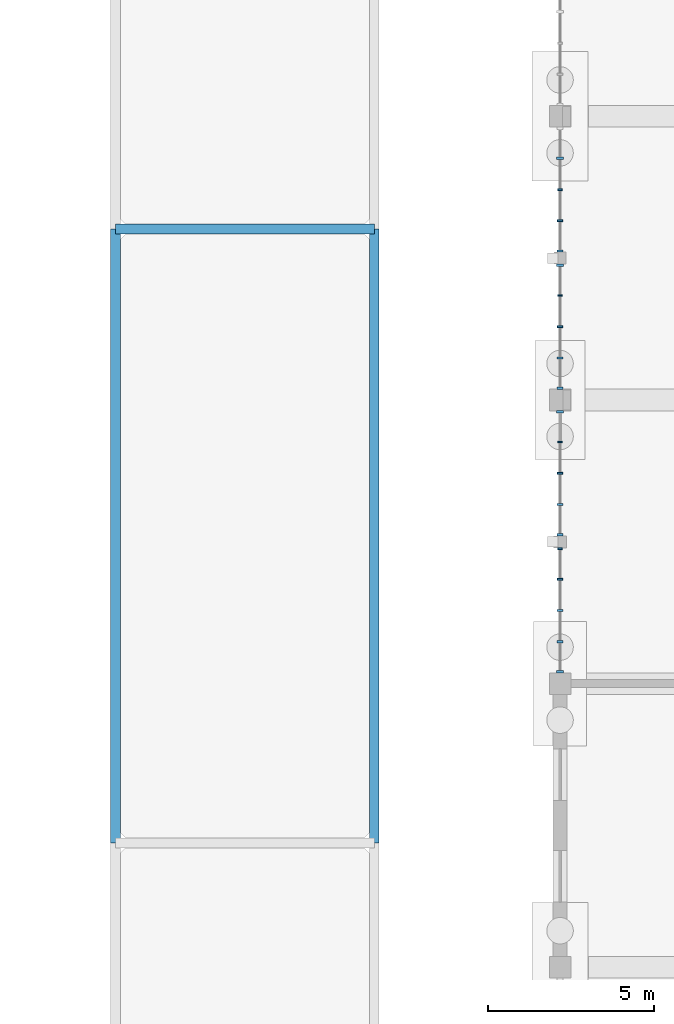
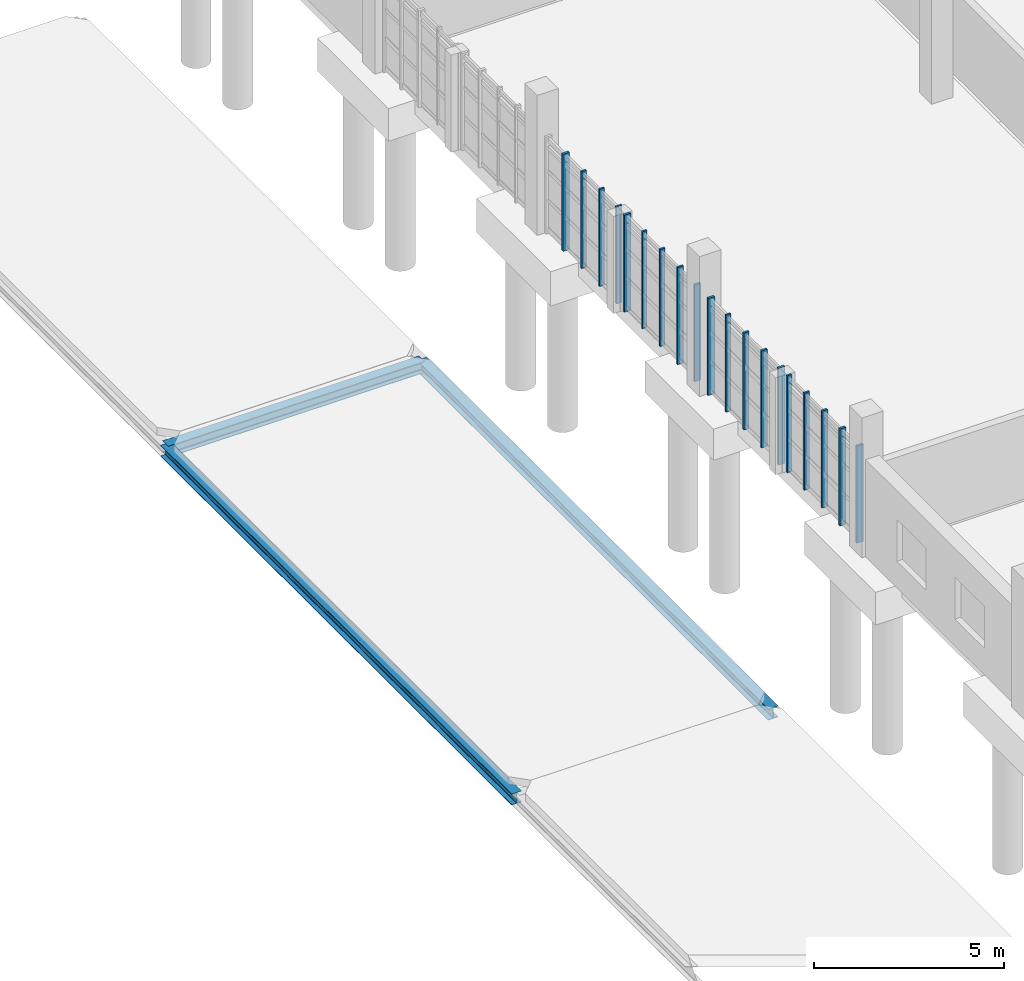
# One storey, part 47 of 125: 19 members, 3 beams, 4 elements without a shape of their own.
"""IFC4 building model written with IfcOpenShell, lengths in metres."""

import ifcopenshell
import ifcopenshell.guid

model = None  # the IFC model being written
_history = None  # IfcOwnerHistory: only IFC2X3 demands one
_inside = {}  # id of a spatial element -> (the spatial element, [elements in it])
_under = {}  # id of a project, library or spatial element -> (it, [spatial elements below it])
_declared = {}  # id of a project -> (the project, [libraries it declares])
_typed = {}  # id of a type object -> (the type object, [elements of that type])
_made_of = {}  # id of a material, layer set ... -> (it, [elements and type objects made of it])


def new_model(schema):
    """Start an empty IFC model of exactly this schema.

    Asked for "IFC4X3", IfcOpenShell would pick the latest addendum, in which some entities
    have other attributes; the version numbers below select the first issue.
    IFC2X3 requires an IfcOwnerHistory on every rooted entity: one is made here for all.
    """
    global model, _history
    if schema == "IFC4X3":
        model = ifcopenshell.file(schema_version=(4, 3, 0, 0))
    else:
        model = ifcopenshell.file(schema=schema)
    _inside.clear()
    _under.clear()
    _declared.clear()
    _typed.clear()
    _made_of.clear()
    _history = None
    if model.schema == "IFC2X3":
        org = make("IfcOrganization", Name="unknown")
        user = make(
            "IfcPersonAndOrganization",
            ThePerson=make("IfcPerson", FamilyName="unknown"),
            TheOrganization=org,
        )
        app = make(
            "IfcApplication",
            ApplicationDeveloper=org,
            Version="unknown",
            ApplicationFullName="unknown",
            ApplicationIdentifier="unknown",
        )
        _history = make(
            "IfcOwnerHistory",
            OwningUser=user,
            OwningApplication=app,
            ChangeAction="ADDED",
            CreationDate=0,
        )
    return model


def make(cls, **values):
    """One entity of the class cls with the attributes given. An attribute that is None is left unset."""
    return model.create_entity(
        cls, **{name: value for name, value in values.items() if value is not None}
    )


def rooted(cls, **values):
    """An entity with a GlobalId (a new one), such as an element, a storey or a relation."""
    return make(cls, GlobalId=ifcopenshell.guid.new(), OwnerHistory=_history, **values)


def si_unit(unit_type, name, prefix=None):
    """IfcSIUnit, for example si_unit("LENGTHUNIT", "METRE", prefix="MILLI")."""
    return make("IfcSIUnit", UnitType=unit_type, Prefix=prefix, Name=name)


def assignment(units):
    """IfcUnitAssignment: the units of a project."""
    return None if units is None else make("IfcUnitAssignment", Units=units)


def point(xyz):
    """IfcCartesianPoint."""
    return None if xyz is None else make("IfcCartesianPoint", Coordinates=xyz)


def direction(xyz):
    """IfcDirection."""
    return None if xyz is None else make("IfcDirection", DirectionRatios=xyz)


def frame(location, z_axis=None, x_axis=None):
    """IfcAxis2Placement3D, a coordinate frame: its origin and axes. An axis left out is left unset."""
    return make(
        "IfcAxis2Placement3D",
        Location=point(location),
        Axis=direction(z_axis),
        RefDirection=direction(x_axis),
    )


def frame_2d(location, x_axis=None):
    """IfcAxis2Placement2D, a coordinate frame in the plane: its origin and x axis."""
    return make(
        "IfcAxis2Placement2D", Location=point(location), RefDirection=direction(x_axis)
    )


def origin():
    """The frame at (0, 0, 0) with its axes left unset."""
    return frame((0.0, 0.0, 0.0))


def origin_2d():
    """The frame at (0, 0) in the plane with its x axis left unset."""
    return frame_2d((0.0, 0.0))


def place(relative_to, where):
    """IfcLocalPlacement: puts the frame where relative to a parent placement (None: the world)."""
    return make(
        "IfcLocalPlacement", PlacementRelTo=relative_to, RelativePlacement=where
    )


def context(
    kind, dimensions, precision=None, world=None, true_north=None, identifier=None
):
    """IfcGeometricRepresentationContext, for example the 3D "Model" context."""
    return make(
        "IfcGeometricRepresentationContext",
        ContextIdentifier=identifier,
        ContextType=kind,
        CoordinateSpaceDimension=dimensions,
        Precision=precision,
        WorldCoordinateSystem=world,
        TrueNorth=true_north,
    )


def subcontext(parent, identifier, kind, view, scale=None):
    """IfcGeometricRepresentationSubContext, for example "Body" below "Model"."""
    return make(
        "IfcGeometricRepresentationSubContext",
        ContextIdentifier=identifier,
        ContextType=kind,
        ParentContext=parent,
        TargetScale=scale,
        TargetView=view,
    )


def project(units=None, contexts=None):
    """IfcProject with its units and contexts."""
    return rooted(
        "IfcProject",
        Name="project",
        RepresentationContexts=contexts,
        UnitsInContext=assignment(units),
    )


def spatial(cls, under=None, at=None, **own):
    """A site, building, storey or space (cls), placed at a placement, below another one or the project."""
    s = rooted(cls, ObjectPlacement=at, **own)
    if under is not None:
        _under.setdefault(under.id(), (under, []))[1].append(s)
    return s


def profile(cls, at=None, kind="AREA", **sizes):
    """A parametric profile (cls). Its sizes go by their IFC names, for example OverallWidth=200.0."""
    return make(cls, ProfileType=kind, Position=at, **sizes)


def rectangle(**sizes):
    """IfcRectangleProfileDef."""
    return profile("IfcRectangleProfileDef", **sizes)


def i_section(**sizes):
    """IfcIShapeProfileDef."""
    return profile("IfcIShapeProfileDef", **sizes)


def extrude(swept, where, along, depth):
    """IfcExtrudedAreaSolid: the profile swept, set in the frame where, extruded along a direction by depth."""
    return make(
        "IfcExtrudedAreaSolid",
        SweptArea=swept,
        Position=where,
        ExtrudedDirection=direction(along),
        Depth=depth,
    )


def shape(context_of_items, identifier, shape_type, items):
    """IfcShapeRepresentation: the items that make up one representation, for example the "Body"."""
    return make(
        "IfcShapeRepresentation",
        ContextOfItems=context_of_items,
        RepresentationIdentifier=identifier,
        RepresentationType=shape_type,
        Items=items,
    )


def material(Name=None, Category=None):
    """IfcMaterial."""
    return make("IfcMaterial", Name=Name, Category=Category)


def material_profile(
    of_material, cross_section, Name=None, Category=None, Priority=None
):
    """IfcMaterialProfile: a cross section and its material."""
    return make(
        "IfcMaterialProfile",
        Name=Name,
        Material=of_material,
        Profile=cross_section,
        Priority=Priority,
        Category=Category,
    )


def profile_set(profiles, Name=None, composite=None):
    """IfcMaterialProfileSet."""
    return make(
        "IfcMaterialProfileSet",
        Name=Name,
        MaterialProfiles=profiles,
        CompositeProfile=composite,
    )


def made_of(thing, what):
    """Note that an element or type object is made of a material, layer set ...; save() writes the relation."""
    if what is not None:
        _made_of.setdefault(what.id(), (what, []))[1].append(thing)
    return thing


def type_object(cls, material=None, **own):
    """A type object (cls), such as IfcWallType, which elements share."""
    return made_of(rooted(cls, **own), material)


def element(
    cls,
    number,
    at=None,
    inside=None,
    cuts=None,
    type_object=None,
    material=None,
    context=None,
    identifier="Body",
    shape_type=None,
    held_by="IfcProductDefinitionShape",
    body=None,
    shapes=None,
    **own,
):
    """One element of the class cls, such as IfcWall. Its Tag is "e" and its number.

    at: its placement. inside: the storey or other place that contains it. cuts: it is an
    opening in that element (IfcRelVoidsElement). A single representation is given by context,
    identifier, shape_type and body (its items); several are given by shapes. held_by: the class
    of the entity that holds the representations. save() writes the other relations.
    """
    e = rooted(cls, Tag="e%d" % number, ObjectPlacement=at, **own)
    if body is not None:
        shapes = [shape(context, identifier, shape_type, body)]
    if shapes is not None:
        e.Representation = make(held_by, Representations=shapes)
    if inside is not None:
        _inside.setdefault(inside.id(), (inside, []))[1].append(e)
    if cuts is not None:
        rooted(
            "IfcRelVoidsElement", RelatingBuildingElement=cuts, RelatedOpeningElement=e
        )
    if type_object is not None:
        _typed.setdefault(type_object.id(), (type_object, []))[1].append(e)
    return made_of(e, material)


def aggregate(whole, parts):
    """IfcRelAggregates: a whole, such as a stair, and the parts it consists of."""
    return rooted("IfcRelAggregates", RelatingObject=whole, RelatedObjects=parts)


def save(model, path):
    """Write the relations noted so far, then the file.

    IfcRelAggregates (storeys below a building ...), IfcRelContainedInSpatialStructure (elements
    in a storey), IfcRelDefinesByType, IfcRelAssociatesMaterial and IfcRelDeclares: one each for
    every whole, place, type object, material and project.
    """
    for whole, parts in _under.values():
        aggregate(whole, parts)
    for where, things in _inside.values():
        rooted(
            "IfcRelContainedInSpatialStructure",
            RelatedElements=things,
            RelatingStructure=where,
        )
    for kind, things in _typed.values():
        rooted("IfcRelDefinesByType", RelatedObjects=things, RelatingType=kind)
    for what, things in _made_of.values():
        rooted("IfcRelAssociatesMaterial", RelatedObjects=things, RelatingMaterial=what)
    for by, libraries in _declared.values():
        rooted("IfcRelDeclares", RelatingContext=by, RelatedDefinitions=libraries)
    model.write(path)


model = new_model("IFC4")

# Units and contexts
model_context = context("Model", 3, precision=1e-05, world=origin(), true_north=direction((0.0, 1.0)))
body_context = subcontext(model_context, "Body", "Model", "MODEL_VIEW")
ifc_project = project(units=[si_unit("LENGTHUNIT", "METRE"), si_unit("AREAUNIT", "SQUARE_METRE"), si_unit("VOLUMEUNIT", "CUBIC_METRE"), si_unit("PLANEANGLEUNIT", "RADIAN"), si_unit("MASSUNIT", "GRAM", prefix="KILO")], contexts=[model_context])

# Site, building, storey
site_placement = place(None, origin())
site = spatial("IfcSite", under=ifc_project, at=site_placement, CompositionType="ELEMENT")
building_placement = place(site_placement, origin())
building = spatial("IfcBuilding", under=site, at=building_placement, Name="Serraforn Aerial Cableway Station", CompositionType="ELEMENT")
storey_placement = place(building_placement, frame((0.0, 0.0, 4.5)))
storey = spatial("IfcBuildingStorey", under=building, at=storey_placement, Name="L01", CompositionType="ELEMENT", Elevation=4.5)

# Beams
ifc_material_1 = material(Name="Steel S355JR", Category="steel")
ifc_material_profile_1 = material_profile(ifc_material_1, i_section(OverallWidth=0.300048828125, OverallDepth=0.360107421875, WebThickness=0.010009765625, FlangeThickness=0.017578125, FilletRadius=0.027099609375, at=origin_2d()), Name="HEA 360")
ifc_profile_set_1 = profile_set([ifc_material_profile_1], Name="Steel S355JR")
beam_type = type_object("IfcBeamType", Name="BM-ST-HEA360", PredefinedType="BEAM", material=ifc_profile_set_1)
beam_placement = place(storey_placement, frame((130.60009765625, 93.5, -0.425048828125), z_axis=(1.0, 0.0, 0.0), x_axis=(0.0, 1.0, 0.0)))
element("IfcBeam", 1, at=beam_placement, inside=storey, type_object=beam_type, Name="Colonnade Spandrel Beam EX-1-3", PredefinedType="BEAM", context=body_context, shape_type="SweptSolid", body=[
    extrude(i_section(OverallWidth=0.300048828125, OverallDepth=0.360107421875, WebThickness=0.010009765625, FlangeThickness=0.017578125, FilletRadius=0.027099609375, at=origin_2d()), origin(), (0.0, 0.0, 1.0), 7.7998046875),
])
for number, where, z_axis, x_axis, name in (
    (2, (130.60009765625, 75.0, -0.425048828125), (0.0, 1.0, 0.0), (-1.0, 0.0, 0.0), "Colonnade Cross Beam EY-1-2"),
    (3, (138.39990234375, 75.0, -0.425048828125), (0.0, 1.0, 0.0), (-1.0, 0.0, 0.0), "Colonnade Cross Beam EY-2-2"),
):
    element("IfcBeam", number, at=place(storey_placement, frame(where, z_axis=z_axis, x_axis=x_axis)), inside=storey, type_object=beam_type, Name=name, PredefinedType="BEAM", context=body_context, shape_type="SweptSolid", body=[
        extrude(i_section(OverallWidth=0.300048828125, OverallDepth=0.360107421875, WebThickness=0.010009765625, FlangeThickness=0.017578125, FilletRadius=0.027099609375, at=origin_2d()), origin(), (0.0, 0.0, 1.0), 18.5),
    ])

# Curtain wall, member
ifc_material_2 = material(Name="Anodised bronze unitised curtain wall")
curtain_wall_type_1 = type_object("IfcCurtainWallType", Name="CW-SYS-11", PredefinedType="USERDEFINED", material=ifc_material_2)
curtain_wall_1_placement = place(storey_placement, origin())
curtain_wall_1 = element("IfcCurtainWall", 4, at=curtain_wall_1_placement, inside=storey, type_object=curtain_wall_type_1, Name="Unitised Curtain Wall CW-EG-L01-W5A", ObjectType="UNITISED CURTAIN WALL", PredefinedType="USERDEFINED")
ifc_material_3 = material(Name="Anodised bronze extruded aluminium", Category="aluminium")
ifc_material_profile_2 = material_profile(ifc_material_3, rectangle(XDim=0.054931640625, YDim=0.139892578125, at=origin_2d()), Name="CW MULLION 55x140")
ifc_profile_set_2 = profile_set([ifc_material_profile_2], Name="Anodised bronze extruded aluminium")
member_type_1 = type_object("IfcMemberType", Name="CW-MUL-1", PredefinedType="MULLION", material=ifc_profile_set_2)
member_1_placement = place(storey_placement, frame((144.0, 87.083984375, 0.0), z_axis=(0.0, 0.0, 1.0), x_axis=(0.0, -1.0, 0.0)))
member_1 = element("IfcMember", 5, at=member_1_placement, type_object=member_type_1, Name="Curtain Wall Mullion CW-EG-L01-W5A-M2", PredefinedType="MULLION", context=body_context, shape_type="SweptSolid", body=[
    extrude(rectangle(XDim=0.054931640625, YDim=0.139892578125, at=origin_2d()), origin(), (0.0, 0.0, 1.0), 3.1201171875),
])

curtain_wall_type_2 = type_object("IfcCurtainWallType", Name="CW-SYS-12", PredefinedType="USERDEFINED", material=ifc_material_2)
curtain_wall_2_placement = place(storey_placement, origin())
curtain_wall_2 = element("IfcCurtainWall", 6, at=curtain_wall_2_placement, inside=storey, type_object=curtain_wall_type_2, Name="Unitised Curtain Wall CW-EG-L01-W5B", ObjectType="UNITISED CURTAIN WALL", PredefinedType="USERDEFINED")
member_2_placement = place(storey_placement, frame((144.0, 83.867431640625, 0.0), z_axis=(0.0, 0.0, 1.0), x_axis=(0.0, -1.0, 0.0)))
member_2 = element("IfcMember", 7, at=member_2_placement, type_object=member_type_1, Name="Curtain Wall Mullion CW-EG-L01-W5B-M1", PredefinedType="MULLION", context=body_context, shape_type="SweptSolid", body=[
    extrude(rectangle(XDim=0.054931640625, YDim=0.139892578125, at=origin_2d()), origin(), (0.0, 0.0, 1.0), 3.1201171875),
])

curtain_wall_type_3 = type_object("IfcCurtainWallType", Name="CW-SYS-15", PredefinedType="USERDEFINED", material=ifc_material_2)
curtain_wall_3_placement = place(storey_placement, origin())
curtain_wall_3 = element("IfcCurtainWall", 8, at=curtain_wall_3_placement, inside=storey, type_object=curtain_wall_type_3, Name="Unitised Curtain Wall CW-EG-L01-W6A", ObjectType="UNITISED CURTAIN WALL", PredefinedType="USERDEFINED")
member_3_placement = place(storey_placement, frame((144.0, 94.69091796875, 0.0), z_axis=(0.0, 0.0, 1.0), x_axis=(0.0, -1.0, 0.0)))
member_3 = element("IfcMember", 9, at=member_3_placement, type_object=member_type_1, Name="Curtain Wall Mullion CW-EG-L01-W6A-M3", PredefinedType="MULLION", context=body_context, shape_type="SweptSolid", body=[
    extrude(rectangle(XDim=0.054931640625, YDim=0.139892578125, at=origin_2d()), origin(), (0.0, 0.0, 1.0), 3.1201171875),
])

curtain_wall_type_4 = type_object("IfcCurtainWallType", Name="CW-SYS-16", PredefinedType="USERDEFINED", material=ifc_material_2)
curtain_wall_4_placement = place(storey_placement, origin())
curtain_wall_4 = element("IfcCurtainWall", 10, at=curtain_wall_4_placement, inside=storey, type_object=curtain_wall_type_4, Name="Unitised Curtain Wall CW-EG-L01-W6B", ObjectType="UNITISED CURTAIN WALL", PredefinedType="USERDEFINED")
member_4_placement = place(storey_placement, frame((144.0, 91.501953125, 0.0), z_axis=(0.0, 0.0, 1.0), x_axis=(0.0, -1.0, 0.0)))
member_4 = element("IfcMember", 11, at=member_4_placement, type_object=member_type_1, Name="Curtain Wall Mullion CW-EG-L01-W6B-M2", PredefinedType="MULLION", context=body_context, shape_type="SweptSolid", body=[
    extrude(rectangle(XDim=0.054931640625, YDim=0.139892578125, at=origin_2d()), origin(), (0.0, 0.0, 1.0), 3.1201171875),
])

# Member
ifc_material_profile_3 = material_profile(ifc_material_3, rectangle(XDim=0.06005859375, YDim=0.159912109375, at=origin_2d()), Name="CW MULLION 60x160")
ifc_profile_set_3 = profile_set([ifc_material_profile_3], Name="Anodised bronze extruded aluminium")
member_type_2 = type_object("IfcMemberType", Name="CW-MUL-2", PredefinedType="MULLION", material=ifc_profile_set_3)
member_5_placement = place(storey_placement, frame((144.0, 86.14111328125, 0.0), z_axis=(0.0, 0.0, 1.0), x_axis=(0.0, -1.0, 0.0)))
member_5 = element("IfcMember", 12, at=member_5_placement, type_object=member_type_2, Name="Curtain Wall Mullion CW-EG-L01-W5A-M3", PredefinedType="MULLION", context=body_context, shape_type="SweptSolid", body=[
    extrude(rectangle(XDim=0.06005859375, YDim=0.159912109375, at=origin_2d()), origin(), (0.0, 0.0, 1.0), 3.1201171875),
])

member_6_placement = place(storey_placement, frame((144.0, 82.951904296875, 0.0), z_axis=(0.0, 0.0, 1.0), x_axis=(0.0, -1.0, 0.0)))
member_6 = element("IfcMember", 13, at=member_6_placement, type_object=member_type_2, Name="Curtain Wall Mullion CW-EG-L01-W5B-M2", PredefinedType="MULLION", context=body_context, shape_type="SweptSolid", body=[
    extrude(rectangle(XDim=0.06005859375, YDim=0.159912109375, at=origin_2d()), origin(), (0.0, 0.0, 1.0), 3.1201171875),
])

member_7_placement = place(storey_placement, frame((144.0, 93.748046875, 0.0), z_axis=(0.0, 0.0, 1.0), x_axis=(0.0, -1.0, 0.0)))
member_7 = element("IfcMember", 14, at=member_7_placement, type_object=member_type_2, Name="Curtain Wall Mullion CW-EG-L01-W6A-M4", PredefinedType="MULLION", context=body_context, shape_type="SweptSolid", body=[
    extrude(rectangle(XDim=0.06005859375, YDim=0.159912109375, at=origin_2d()), origin(), (0.0, 0.0, 1.0), 3.1201171875),
])

member_8_placement = place(storey_placement, frame((144.0, 90.55908203125, 0.0), z_axis=(0.0, 0.0, 1.0), x_axis=(0.0, -1.0, 0.0)))
member_8 = element("IfcMember", 15, at=member_8_placement, type_object=member_type_2, Name="Curtain Wall Mullion CW-EG-L01-W6B-M3", PredefinedType="MULLION", context=body_context, shape_type="SweptSolid", body=[
    extrude(rectangle(XDim=0.06005859375, YDim=0.159912109375, at=origin_2d()), origin(), (0.0, 0.0, 1.0), 3.1201171875),
])

ifc_material_profile_4 = material_profile(ifc_material_3, rectangle(XDim=0.06494140625, YDim=0.175048828125, at=origin_2d()), Name="CW MULLION 65x175")
ifc_profile_set_4 = profile_set([ifc_material_profile_4], Name="Anodised bronze extruded aluminium")
member_type_3 = type_object("IfcMemberType", Name="CW-MUL-3", PredefinedType="MULLION", material=ifc_profile_set_4)
member_9_placement = place(storey_placement, frame((144.0, 85.197998046875, 0.0), z_axis=(0.0, 0.0, 1.0), x_axis=(0.0, -1.0, 0.0)))
member_9 = element("IfcMember", 16, at=member_9_placement, type_object=member_type_3, Name="Curtain Wall Mullion CW-EG-L01-W5A-M4", PredefinedType="MULLION", context=body_context, shape_type="SweptSolid", body=[
    extrude(rectangle(XDim=0.06494140625, YDim=0.175048828125, at=origin_2d()), origin(), (0.0, 0.0, 1.0), 3.1201171875),
])

member_10_placement = place(storey_placement, frame((144.0, 82.009033203125, 0.0), z_axis=(0.0, 0.0, 1.0), x_axis=(0.0, -1.0, 0.0)))
member_10 = element("IfcMember", 17, at=member_10_placement, type_object=member_type_3, Name="Curtain Wall Mullion CW-EG-L01-W5B-M3", PredefinedType="MULLION", context=body_context, shape_type="SweptSolid", body=[
    extrude(rectangle(XDim=0.06494140625, YDim=0.175048828125, at=origin_2d()), origin(), (0.0, 0.0, 1.0), 3.1201171875),
])

member_11_placement = place(storey_placement, frame((144.0, 92.83740234375, 0.0), z_axis=(0.0, 0.0, 1.0), x_axis=(0.0, -1.0, 0.0)))
member_11 = element("IfcMember", 18, at=member_11_placement, type_object=member_type_3, Name="Curtain Wall Mullion CW-EG-L01-W6A-M5", PredefinedType="MULLION", context=body_context, shape_type="SweptSolid", body=[
    extrude(rectangle(XDim=0.06494140625, YDim=0.175048828125, at=origin_2d()), origin(), (0.0, 0.0, 1.0), 3.1201171875),
])

member_12_placement = place(storey_placement, frame((144.0, 89.615966796875, 0.0), z_axis=(0.0, 0.0, 1.0), x_axis=(0.0, -1.0, 0.0)))
member_12 = element("IfcMember", 19, at=member_12_placement, type_object=member_type_3, Name="Curtain Wall Mullion CW-EG-L01-W6B-M4", PredefinedType="MULLION", context=body_context, shape_type="SweptSolid", body=[
    extrude(rectangle(XDim=0.06494140625, YDim=0.175048828125, at=origin_2d()), origin(), (0.0, 0.0, 1.0), 3.1201171875),
])

ifc_material_profile_5 = material_profile(ifc_material_3, rectangle(XDim=0.070068359375, YDim=0.18994140625, at=origin_2d()), Name="CW MULLION 70x190")
ifc_profile_set_5 = profile_set([ifc_material_profile_5], Name="Anodised bronze extruded aluminium")
member_type_4 = type_object("IfcMemberType", Name="CW-MUL-4", PredefinedType="MULLION", material=ifc_profile_set_5)
member_13_placement = place(storey_placement, frame((144.0, 84.2900390625, 0.0), z_axis=(0.0, 0.0, 1.0), x_axis=(0.0, -1.0, 0.0)))
member_13 = element("IfcMember", 20, at=member_13_placement, type_object=member_type_4, Name="Curtain Wall Mullion CW-EG-L01-W5A-M5", PredefinedType="MULLION", context=body_context, shape_type="SweptSolid", body=[
    extrude(rectangle(XDim=0.070068359375, YDim=0.18994140625, at=origin_2d()), origin(), (0.0, 0.0, 1.0), 3.1201171875),
])

member_14_placement = place(storey_placement, frame((144.0, 81.06591796875, 0.0), z_axis=(0.0, 0.0, 1.0), x_axis=(0.0, -1.0, 0.0)))
member_14 = element("IfcMember", 21, at=member_14_placement, type_object=member_type_4, Name="Curtain Wall Mullion CW-EG-L01-W5B-M4", PredefinedType="MULLION", context=body_context, shape_type="SweptSolid", body=[
    extrude(rectangle(XDim=0.070068359375, YDim=0.18994140625, at=origin_2d()), origin(), (0.0, 0.0, 1.0), 3.1201171875),
])

member_15_placement = place(storey_placement, frame((144.0, 88.7080078125, 0.0), z_axis=(0.0, 0.0, 1.0), x_axis=(0.0, -1.0, 0.0)))
member_15 = element("IfcMember", 22, at=member_15_placement, type_object=member_type_4, Name="Curtain Wall Mullion CW-EG-L01-W6B-M5", PredefinedType="MULLION", context=body_context, shape_type="SweptSolid", body=[
    extrude(rectangle(XDim=0.070068359375, YDim=0.18994140625, at=origin_2d()), origin(), (0.0, 0.0, 1.0), 3.1201171875),
])

ifc_material_profile_6 = material_profile(ifc_material_3, rectangle(XDim=0.074951171875, YDim=0.199951171875, at=origin_2d()), Name="CW MULLION 75x200")
ifc_profile_set_6 = profile_set([ifc_material_profile_6], Name="Anodised bronze extruded aluminium")
member_type_5 = type_object("IfcMemberType", Name="CW-MUL-5", PredefinedType="MULLION", material=ifc_profile_set_6)
member_16_placement = place(storey_placement, frame((144.0, 87.989501953125, 0.0), z_axis=(0.0, 0.0, 1.0), x_axis=(0.0, -1.0, 0.0)))
member_16 = element("IfcMember", 23, at=member_16_placement, type_object=member_type_5, Name="Curtain Wall Mullion CW-EG-L01-W5A-M1", PredefinedType="MULLION", context=body_context, shape_type="SweptSolid", body=[
    extrude(rectangle(XDim=0.074951171875, YDim=0.199951171875, at=origin_2d()), origin(), (0.0, 0.0, 1.0), 3.1201171875),
])

aggregate(curtain_wall_1, [member_16, member_1, member_5, member_9, member_13])

member_17_placement = place(storey_placement, frame((144.0, 80.160400390625, 0.0), z_axis=(0.0, 0.0, 1.0), x_axis=(0.0, -1.0, 0.0)))
member_17 = element("IfcMember", 24, at=member_17_placement, type_object=member_type_5, Name="Curtain Wall Mullion CW-EG-L01-W5B-M5", PredefinedType="MULLION", context=body_context, shape_type="SweptSolid", body=[
    extrude(rectangle(XDim=0.074951171875, YDim=0.199951171875, at=origin_2d()), origin(), (0.0, 0.0, 1.0), 3.1201171875),
])

aggregate(curtain_wall_2, [member_2, member_6, member_10, member_14, member_17])

member_18_placement = place(storey_placement, frame((144.0, 95.634033203125, 0.0), z_axis=(0.0, 0.0, 1.0), x_axis=(0.0, -1.0, 0.0)))
member_18 = element("IfcMember", 25, at=member_18_placement, type_object=member_type_5, Name="Curtain Wall Mullion CW-EG-L01-W6A-M2", PredefinedType="MULLION", context=body_context, shape_type="SweptSolid", body=[
    extrude(rectangle(XDim=0.074951171875, YDim=0.199951171875, at=origin_2d()), origin(), (0.0, 0.0, 1.0), 3.1201171875),
])

aggregate(curtain_wall_3, [member_18, member_3, member_7, member_11])

member_19_placement = place(storey_placement, frame((144.0, 92.407470703125, 0.0), z_axis=(0.0, 0.0, 1.0), x_axis=(0.0, -1.0, 0.0)))
member_19 = element("IfcMember", 26, at=member_19_placement, type_object=member_type_5, Name="Curtain Wall Mullion CW-EG-L01-W6B-M1", PredefinedType="MULLION", context=body_context, shape_type="SweptSolid", body=[
    extrude(rectangle(XDim=0.074951171875, YDim=0.199951171875, at=origin_2d()), origin(), (0.0, 0.0, 1.0), 3.1201171875),
])

aggregate(curtain_wall_4, [member_19, member_4, member_8, member_12, member_15])

save(model, "model.ifc")
